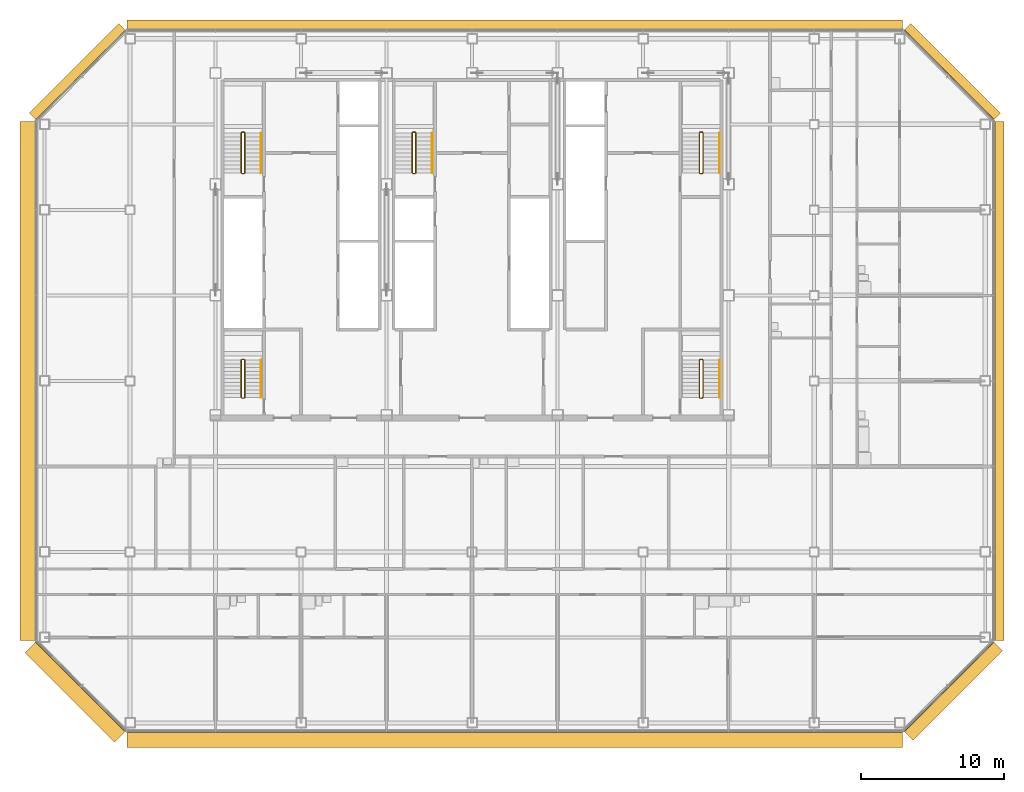
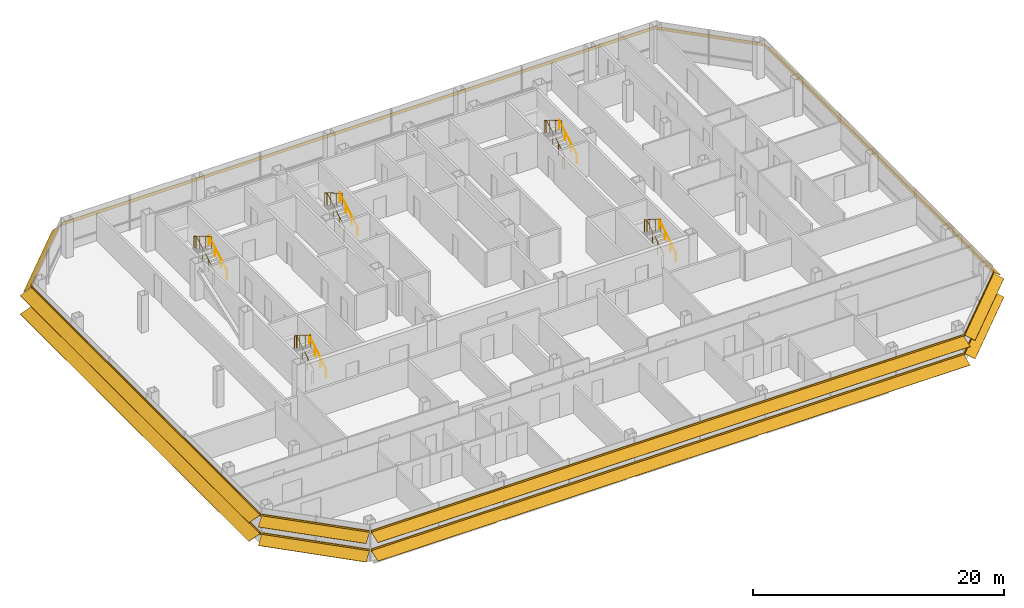
# One storey, part 25 of 26: 10 railings, 8 shading devices.
"""IFC4 building model written with IfcOpenShell, lengths in metres."""

from ifc_helpers import new_model, si_unit, direction, frame, origin, origin_2d, place, context, subcontext, project, spatial, polyline, circle, outline, composite_profile, extrude, material, type_object, element, save


model = new_model("IFC4")

# Units and contexts
model_context = context("Model", 3, precision=1e-05, world=origin(), true_north=direction((0.0, 1.0)))
body_context = subcontext(model_context, "Body", "Model", "MODEL_VIEW")
ifc_project = project(units=[si_unit("LENGTHUNIT", "METRE"), si_unit("AREAUNIT", "SQUARE_METRE"), si_unit("VOLUMEUNIT", "CUBIC_METRE"), si_unit("PLANEANGLEUNIT", "RADIAN"), si_unit("MASSUNIT", "GRAM", prefix="KILO")], contexts=[model_context])

# Site, building, storey
site_placement = place(None, origin())
site = spatial("IfcSite", under=ifc_project, at=site_placement, CompositionType="ELEMENT")
building_placement = place(site_placement, origin())
building = spatial("IfcBuilding", under=site, at=building_placement, Name="Sorahane Residences", CompositionType="ELEMENT")
storey_placement = place(building_placement, frame((0.0, 0.0, 158.199951171875)))
storey = spatial("IfcBuildingStorey", under=building, at=storey_placement, Name="L36", CompositionType="ELEMENT", Elevation=158.199951171875)

# Shading devices
ifc_material_1 = material(Name="Terracotta anodised aluminium", Category="masonry")
shading_device_type_1 = type_object("IfcShadingDeviceType", Name="Louvre sunshade blade E terracotta aluminium 700", PredefinedType="JALOUSIE", material=ifc_material_1)
shading_device_1_placement = place(storey_placement, frame((60.60009765625, 5.801513671875, 2.699951171875), z_axis=(0.0, 1.0, 0.0), x_axis=(-1.0, 0.0, 0.0)))
element("IfcShadingDevice", 1, at=shading_device_1_placement, inside=storey, type_object=shading_device_type_1, Name="Louvre sunshade blade bank E L36 E1", PredefinedType="JALOUSIE", context=body_context, shape_type="SweptSolid", body=[
    extrude(outline(polyline([(-0.719970703125, -0.49365234375), (-0.719970703125, -0.523681640625), (-0.080078125, -0.05859375), (-0.080078125, -0.14990234375), (-0.02001953125, -0.14990234375), (-0.02001953125, -0.014892578125), (-0.02001953125, 0.014892578125), (-0.02001953125, 0.14990234375), (-0.080078125, 0.14990234375), (-0.080078125, -0.028564453125), (-0.719970703125, -0.49365234375)])), origin(), (0.0, 0.0, 1.0), 36.39697265625),
])
ifc_material_2 = material(Name="Terracotta anodised aluminium", Category="masonry")
shading_device_type_2 = type_object("IfcShadingDeviceType", Name="Louvre sunshade blade N terracotta aluminium 700", PredefinedType="JALOUSIE", material=ifc_material_2)
shading_device_2_placement = place(storey_placement, frame((54.198486328125, 48.60009765625, 2.699951171875), z_axis=(-1.0, 0.0, 0.0), x_axis=(0.0, -1.0, 0.0)))
element("IfcShadingDevice", 2, at=shading_device_2_placement, inside=storey, type_object=shading_device_type_2, Name="Louvre sunshade blade bank N L36 N1", PredefinedType="JALOUSIE", context=body_context, shape_type="SweptSolid", body=[
    extrude(outline(polyline([(-0.719970703125, -0.660888671875), (-0.719970703125, -0.69091796875), (-0.080078125, -0.072998046875), (-0.080078125, -0.14990234375), (-0.02001953125, -0.14990234375), (-0.02001953125, -0.014892578125), (-0.02001953125, 0.014892578125), (-0.02001953125, 0.14990234375), (-0.080078125, 0.14990234375), (-0.080078125, -0.04296875), (-0.719970703125, -0.660888671875)])), origin(), (0.0, 0.0, 1.0), 54.39697265625),
])
ifc_material_3 = material(Name="Terracotta anodised aluminium", Category="masonry")
shading_device_type_3 = type_object("IfcShadingDeviceType", Name="Louvre sunshade blade NE terracotta aluminium 700", PredefinedType="JALOUSIE", material=ifc_material_3)
shading_device_3_placement = place(storey_placement, frame((60.564697265625, 42.283935546875, 2.699951171875), z_axis=(-0.707106781187, 0.707106781187, 0.0), x_axis=(-0.707106781187, -0.707106781187, 0.0)))
element("IfcShadingDevice", 3, at=shading_device_3_placement, inside=storey, type_object=shading_device_type_3, Name="Louvre sunshade blade bank NE L36 NE1", PredefinedType="JALOUSIE", context=body_context, shape_type="SweptSolid", body=[
    extrude(outline(polyline([(-0.719970703125, -0.572509765625), (-0.719970703125, -0.602294921875), (-0.080078125, -0.065185546875), (-0.080078125, -0.14990234375), (-0.02001953125, -0.14990234375), (-0.02001953125, -0.014892578125), (-0.02001953125, 0.014892578125), (-0.02001953125, 0.14990234375), (-0.080078125, 0.14990234375), (-0.080078125, -0.035400390625), (-0.719970703125, -0.572509765625)])), origin(), (0.0, 0.0, 1.0), 8.88232421875),
])
ifc_material_4 = material(Name="Terracotta anodised aluminium", Category="masonry")
shading_device_type_4 = type_object("IfcShadingDeviceType", Name="Louvre sunshade blade NW terracotta aluminium 700", PredefinedType="JALOUSIE", material=ifc_material_4)
shading_device_4_placement = place(storey_placement, frame((-0.283935546875, 48.564697265625, 2.699951171875), z_axis=(-0.707106781187, -0.707106781187, 0.0), x_axis=(0.707106781187, -0.707106781187, 0.0)))
element("IfcShadingDevice", 4, at=shading_device_4_placement, inside=storey, type_object=shading_device_type_4, Name="Louvre sunshade blade bank NW L36 NW1", PredefinedType="JALOUSIE", context=body_context, shape_type="SweptSolid", body=[
    extrude(outline(polyline([(-0.719970703125, -0.660888671875), (-0.719970703125, -0.69091796875), (-0.080078125, -0.072998046875), (-0.080078125, -0.14990234375), (-0.02001953125, -0.14990234375), (-0.02001953125, -0.014892578125), (-0.02001953125, 0.014892578125), (-0.02001953125, 0.14990234375), (-0.080078125, 0.14990234375), (-0.080078125, -0.04296875), (-0.719970703125, -0.660888671875)])), origin(), (0.0, 0.0, 1.0), 8.88232421875),
])
ifc_material_5 = material(Name="Terracotta anodised aluminium", Category="masonry")
shading_device_type_5 = type_object("IfcShadingDeviceType", Name="Louvre sunshade blade S terracotta aluminium 1100", PredefinedType="JALOUSIE", material=ifc_material_5)
shading_device_5_placement = place(storey_placement, frame((-0.198486328125, -0.60009765625, 0.900146484375), z_axis=(1.0, 0.0, 0.0), x_axis=(0.0, 1.0, 0.0)))
element("IfcShadingDevice", 5, at=shading_device_5_placement, inside=storey, type_object=shading_device_type_5, Name="Louvre sunshade blade bank S L36 S1", PredefinedType="JALOUSIE", context=body_context, shape_type="SweptSolid", body=[
    extrude(composite_profile([outline(polyline([(-1.1201171875, -0.385498046875), (-1.1201171875, -0.415283203125), (-0.080078125, -0.036865234375), (-0.080078125, -0.14990234375), (-0.02001953125, -0.14990234375), (-0.02001953125, -0.014892578125), (-0.02001953125, 0.014892578125), (-0.02001953125, 0.14990234375), (-0.080078125, 0.14990234375), (-0.080078125, -0.0068359375), (-1.1201171875, -0.385498046875)])), outline(polyline([(-1.1201171875, 1.41455078125), (-1.1201171875, 1.384521484375), (-0.080078125, 1.76318359375), (-0.080078125, 1.64990234375), (-0.02001953125, 1.64990234375), (-0.02001953125, 1.784912109375), (-0.02001953125, 1.81494140625), (-0.02001953125, 1.949951171875), (-0.080078125, 1.949951171875), (-0.080078125, 1.793212890625), (-1.1201171875, 1.41455078125)]))]), origin(), (0.0, 0.0, 1.0), 54.39697265625),
])
ifc_material_6 = material(Name="Terracotta anodised aluminium", Category="masonry")
shading_device_type_6 = type_object("IfcShadingDeviceType", Name="Louvre sunshade blade SE terracotta aluminium 900", PredefinedType="JALOUSIE", material=ifc_material_6)
shading_device_6_placement = place(storey_placement, frame((54.283935546875, -0.564697265625, 0.900146484375), z_axis=(0.707106781187, 0.707106781187, 0.0), x_axis=(-0.707106781187, 0.707106781187, 0.0)))
element("IfcShadingDevice", 6, at=shading_device_6_placement, inside=storey, type_object=shading_device_type_6, Name="Louvre sunshade blade bank SE L36 SE1", PredefinedType="JALOUSIE", context=body_context, shape_type="SweptSolid", body=[
    extrude(composite_profile([outline(polyline([(-0.919921875, -0.3486328125), (-0.919921875, -0.378662109375), (-0.080078125, -0.039306640625), (-0.080078125, -0.14990234375), (-0.02001953125, -0.14990234375), (-0.02001953125, -0.014892578125), (-0.02001953125, 0.014892578125), (-0.02001953125, 0.14990234375), (-0.080078125, 0.14990234375), (-0.080078125, -0.00927734375), (-0.919921875, -0.3486328125)])), outline(polyline([(-0.919921875, 1.451416015625), (-0.919921875, 1.42138671875), (-0.080078125, 1.7607421875), (-0.080078125, 1.64990234375), (-0.02001953125, 1.64990234375), (-0.02001953125, 1.784912109375), (-0.02001953125, 1.81494140625), (-0.02001953125, 1.949951171875), (-0.080078125, 1.949951171875), (-0.080078125, 1.790771484375), (-0.919921875, 1.451416015625)]))]), origin(), (0.0, 0.0, 1.0), 8.88232421875),
])
ifc_material_7 = material(Name="Terracotta anodised aluminium", Category="masonry")
shading_device_type_7 = type_object("IfcShadingDeviceType", Name="Louvre sunshade blade SW terracotta aluminium 1100", PredefinedType="JALOUSIE", material=ifc_material_7)
shading_device_7_placement = place(storey_placement, frame((-6.564697265625, 5.716064453125, 0.900146484375), z_axis=(0.707106781187, -0.707106781187, 0.0), x_axis=(0.707106781187, 0.707106781187, 0.0)))
element("IfcShadingDevice", 7, at=shading_device_7_placement, inside=storey, type_object=shading_device_type_7, Name="Louvre sunshade blade bank SW L36 SW1", PredefinedType="JALOUSIE", context=body_context, shape_type="SweptSolid", body=[
    extrude(composite_profile([outline(polyline([(-1.1201171875, -0.385498046875), (-1.1201171875, -0.415283203125), (-0.080078125, -0.036865234375), (-0.080078125, -0.14990234375), (-0.02001953125, -0.14990234375), (-0.02001953125, -0.014892578125), (-0.02001953125, 0.014892578125), (-0.02001953125, 0.14990234375), (-0.080078125, 0.14990234375), (-0.080078125, -0.0068359375), (-1.1201171875, -0.385498046875)])), outline(polyline([(-1.1201171875, 1.41455078125), (-1.1201171875, 1.384521484375), (-0.080078125, 1.76318359375), (-0.080078125, 1.64990234375), (-0.02001953125, 1.64990234375), (-0.02001953125, 1.784912109375), (-0.02001953125, 1.81494140625), (-0.02001953125, 1.949951171875), (-0.080078125, 1.949951171875), (-0.080078125, 1.793212890625), (-1.1201171875, 1.41455078125)]))]), origin(), (0.0, 0.0, 1.0), 8.88232421875),
])
ifc_material_8 = material(Name="Terracotta anodised aluminium", Category="masonry")
shading_device_type_8 = type_object("IfcShadingDeviceType", Name="Louvre sunshade blade W terracotta aluminium 1100", PredefinedType="JALOUSIE", material=ifc_material_8)
shading_device_8_placement = place(storey_placement, frame((-6.60009765625, 42.198486328125, 0.900146484375), z_axis=(0.0, -1.0, 0.0), x_axis=(1.0, 0.0, 0.0)))
element("IfcShadingDevice", 8, at=shading_device_8_placement, inside=storey, type_object=shading_device_type_8, Name="Louvre sunshade blade bank W L36 W1", PredefinedType="JALOUSIE", context=body_context, shape_type="SweptSolid", body=[
    extrude(composite_profile([outline(polyline([(-1.1201171875, -0.385498046875), (-1.1201171875, -0.415283203125), (-0.080078125, -0.036865234375), (-0.080078125, -0.14990234375), (-0.02001953125, -0.14990234375), (-0.02001953125, -0.014892578125), (-0.02001953125, 0.014892578125), (-0.02001953125, 0.14990234375), (-0.080078125, 0.14990234375), (-0.080078125, -0.0068359375), (-1.1201171875, -0.385498046875)])), outline(polyline([(-1.1201171875, 1.41455078125), (-1.1201171875, 1.384521484375), (-0.080078125, 1.76318359375), (-0.080078125, 1.64990234375), (-0.02001953125, 1.64990234375), (-0.02001953125, 1.784912109375), (-0.02001953125, 1.81494140625), (-0.02001953125, 1.949951171875), (-0.080078125, 1.949951171875), (-0.080078125, 1.793212890625), (-1.1201171875, 1.41455078125)]))]), origin(), (0.0, 0.0, 1.0), 36.39697265625),
])

# Railings
ifc_material_9 = material(Name="Steel Q355B", Category="steel")
railing_type_1 = type_object("IfcRailingType", Name="Stair guard 1200 Steel Q355B", PredefinedType="GUARDRAIL", material=ifc_material_9)
railing_1_placement = place(storey_placement, frame((7.85009765625, 38.550048828125, 0.0)))
element("IfcRailing", 9, at=railing_1_placement, inside=storey, type_object=railing_type_1, Name="L36 S1 stair guard 1", PredefinedType="GUARDRAIL", context=body_context, shape_type="SweptSolid", body=[
    extrude(circle(Radius=0.02392578125, at=origin_2d()), frame((0.0, 0.0, 1.17578125), z_axis=(1.0, 0.0, 0.0), x_axis=(0.0, 1.0, 0.0)), (0.0, 0.0, 1.0), 0.14990234375),
    extrude(circle(Radius=0.02392578125, at=origin_2d()), frame((0.14990234375, 0.0, 1.17578125), z_axis=(0.280808744504, 0.280808744504, 0.917765164963), x_axis=(-0.707106781187, 0.707106781187, 0.0)), (0.0, 0.0, 1.0), 0.17822265625),
    extrude(circle(Radius=0.02392578125, at=origin_2d()), frame((0.199951171875, 0.050048828125, 1.33935546875), z_axis=(0.0, 0.863341702679, 0.504619762213), x_axis=(-1.0, 0.0, 0.0)), (0.0, 0.0, 1.0), 3.242919921875),
    extrude(circle(Radius=0.02392578125, at=origin_2d()), frame((0.199951171875, 2.849853515625, 2.97607421875), z_axis=(-0.707106781187, 0.707106781187, 0.0), x_axis=(-0.707106781187, -0.707106781187, 0.0)), (0.0, 0.0, 1.0), 0.07080078125),
    extrude(circle(Radius=0.02392578125, at=origin_2d()), frame((0.14990234375, 2.89990234375, 2.97607421875), z_axis=(-1.0, 0.0, 0.0), x_axis=(0.0, -1.0, 0.0)), (0.0, 0.0, 1.0), 0.14990234375),
    extrude(circle(Radius=0.02392578125, at=origin_2d()), frame((0.0, 2.89990234375, 2.97607421875), z_axis=(-0.280808744504, -0.280808744504, 0.917765164963), x_axis=(0.707106781187, -0.707106781187, 0.0)), (0.0, 0.0, 1.0), 0.17822265625),
    extrude(circle(Radius=0.02392578125, at=origin_2d()), frame((-0.050048828125, 2.849853515625, 3.1396484375), z_axis=(0.0, -0.863341702679, 0.504619762213), x_axis=(1.0, 0.0, 0.0)), (0.0, 0.0, 1.0), 3.242919921875),
    extrude(circle(Radius=0.02099609375, at=origin_2d()), origin(), (0.0, 0.0, 1.0), 1.15185546875),
    extrude(circle(Radius=0.02099609375, at=origin_2d()), frame((0.14990234375, 0.0, 0.0)), (0.0, 0.0, 1.0), 1.15185546875),
    extrude(circle(Radius=0.02099609375, at=origin_2d()), frame((0.199951171875, 0.050048828125, 0.16357421875)), (0.0, 0.0, 1.0), 1.15185546875),
    extrude(circle(Radius=0.02099609375, at=origin_2d()), frame((0.199951171875, 0.9833984375, 0.708984375)), (0.0, 0.0, 1.0), 1.15185546875),
    extrude(circle(Radius=0.02099609375, at=origin_2d()), frame((0.199951171875, 1.91650390625, 1.254638671875)), (0.0, 0.0, 1.0), 1.15185546875),
    extrude(circle(Radius=0.02099609375, at=origin_2d()), frame((0.199951171875, 2.849853515625, 1.800048828125)), (0.0, 0.0, 1.0), 1.15185546875),
    extrude(circle(Radius=0.02099609375, at=origin_2d()), frame((0.14990234375, 2.89990234375, 1.800048828125)), (0.0, 0.0, 1.0), 1.15185546875),
    extrude(circle(Radius=0.02099609375, at=origin_2d()), frame((0.0, 2.89990234375, 1.800048828125)), (0.0, 0.0, 1.0), 1.15185546875),
    extrude(circle(Radius=0.02099609375, at=origin_2d()), frame((-0.050048828125, 2.849853515625, 1.963623046875)), (0.0, 0.0, 1.0), 1.15185546875),
    extrude(circle(Radius=0.02099609375, at=origin_2d()), frame((-0.050048828125, 1.91650390625, 2.509033203125)), (0.0, 0.0, 1.0), 1.15185546875),
    extrude(circle(Radius=0.02099609375, at=origin_2d()), frame((-0.050048828125, 0.9833984375, 3.0546875)), (0.0, 0.0, 1.0), 1.15185546875),
    extrude(circle(Radius=0.02099609375, at=origin_2d()), frame((-0.050048828125, 0.050048828125, 3.60009765625)), (0.0, 0.0, 1.0), 1.15185546875),
])
railing_2_placement = place(storey_placement, frame((40.0, 38.550048828125, 0.0)))
element("IfcRailing", 10, at=railing_2_placement, inside=storey, type_object=railing_type_1, Name="L36 S2 stair guard 1", PredefinedType="GUARDRAIL", context=body_context, shape_type="SweptSolid", body=[
    extrude(circle(Radius=0.02392578125, at=origin_2d()), frame((0.0, 0.0, 1.17578125), z_axis=(1.0, 0.0, 0.0), x_axis=(0.0, 1.0, 0.0)), (0.0, 0.0, 1.0), 0.14990234375),
    extrude(circle(Radius=0.02392578125, at=origin_2d()), frame((0.14990234375, 0.0, 1.17578125), z_axis=(0.280808744504, 0.280808744504, 0.917765164963), x_axis=(-0.707106781187, 0.707106781187, 0.0)), (0.0, 0.0, 1.0), 0.17822265625),
    extrude(circle(Radius=0.02392578125, at=origin_2d()), frame((0.199951171875, 0.050048828125, 1.33935546875), z_axis=(0.0, 0.863341702679, 0.504619762213), x_axis=(-1.0, 0.0, 0.0)), (0.0, 0.0, 1.0), 3.242919921875),
    extrude(circle(Radius=0.02392578125, at=origin_2d()), frame((0.199951171875, 2.849853515625, 2.97607421875), z_axis=(-0.707106781187, 0.707106781187, 0.0), x_axis=(-0.707106781187, -0.707106781187, 0.0)), (0.0, 0.0, 1.0), 0.07080078125),
    extrude(circle(Radius=0.02392578125, at=origin_2d()), frame((0.14990234375, 2.89990234375, 2.97607421875), z_axis=(-1.0, 0.0, 0.0), x_axis=(0.0, -1.0, 0.0)), (0.0, 0.0, 1.0), 0.14990234375),
    extrude(circle(Radius=0.02392578125, at=origin_2d()), frame((0.0, 2.89990234375, 2.97607421875), z_axis=(-0.280808744504, -0.280808744504, 0.917765164963), x_axis=(0.707106781187, -0.707106781187, 0.0)), (0.0, 0.0, 1.0), 0.17822265625),
    extrude(circle(Radius=0.02392578125, at=origin_2d()), frame((-0.050048828125, 2.849853515625, 3.1396484375), z_axis=(0.0, -0.863341702679, 0.504619762213), x_axis=(1.0, 0.0, 0.0)), (0.0, 0.0, 1.0), 3.242919921875),
    extrude(circle(Radius=0.02099609375, at=origin_2d()), origin(), (0.0, 0.0, 1.0), 1.15185546875),
    extrude(circle(Radius=0.02099609375, at=origin_2d()), frame((0.14990234375, 0.0, 0.0)), (0.0, 0.0, 1.0), 1.15185546875),
    extrude(circle(Radius=0.02099609375, at=origin_2d()), frame((0.199951171875, 0.050048828125, 0.16357421875)), (0.0, 0.0, 1.0), 1.15185546875),
    extrude(circle(Radius=0.02099609375, at=origin_2d()), frame((0.199951171875, 0.9833984375, 0.708984375)), (0.0, 0.0, 1.0), 1.15185546875),
    extrude(circle(Radius=0.02099609375, at=origin_2d()), frame((0.199951171875, 1.91650390625, 1.254638671875)), (0.0, 0.0, 1.0), 1.15185546875),
    extrude(circle(Radius=0.02099609375, at=origin_2d()), frame((0.199951171875, 2.849853515625, 1.800048828125)), (0.0, 0.0, 1.0), 1.15185546875),
    extrude(circle(Radius=0.02099609375, at=origin_2d()), frame((0.14990234375, 2.89990234375, 1.800048828125)), (0.0, 0.0, 1.0), 1.15185546875),
    extrude(circle(Radius=0.02099609375, at=origin_2d()), frame((0.0, 2.89990234375, 1.800048828125)), (0.0, 0.0, 1.0), 1.15185546875),
    extrude(circle(Radius=0.02099609375, at=origin_2d()), frame((-0.050048828125, 2.849853515625, 1.963623046875)), (0.0, 0.0, 1.0), 1.15185546875),
    extrude(circle(Radius=0.02099609375, at=origin_2d()), frame((-0.050048828125, 1.91650390625, 2.509033203125)), (0.0, 0.0, 1.0), 1.15185546875),
    extrude(circle(Radius=0.02099609375, at=origin_2d()), frame((-0.050048828125, 0.9833984375, 3.0546875)), (0.0, 0.0, 1.0), 1.15185546875),
    extrude(circle(Radius=0.02099609375, at=origin_2d()), frame((-0.050048828125, 0.050048828125, 3.60009765625)), (0.0, 0.0, 1.0), 1.15185546875),
])
railing_3_placement = place(storey_placement, frame((19.85009765625, 38.550048828125, 0.0)))
element("IfcRailing", 11, at=railing_3_placement, inside=storey, type_object=railing_type_1, Name="L36 S3 stair guard 1", PredefinedType="GUARDRAIL", context=body_context, shape_type="SweptSolid", body=[
    extrude(circle(Radius=0.02392578125, at=origin_2d()), frame((0.0, 0.0, 1.17578125), z_axis=(1.0, 0.0, 0.0), x_axis=(0.0, 1.0, 0.0)), (0.0, 0.0, 1.0), 0.14990234375),
    extrude(circle(Radius=0.02392578125, at=origin_2d()), frame((0.14990234375, 0.0, 1.17578125), z_axis=(0.280808744504, 0.280808744504, 0.917765164963), x_axis=(-0.707106781187, 0.707106781187, 0.0)), (0.0, 0.0, 1.0), 0.17822265625),
    extrude(circle(Radius=0.02392578125, at=origin_2d()), frame((0.199951171875, 0.050048828125, 1.33935546875), z_axis=(0.0, 0.863341702679, 0.504619762213), x_axis=(-1.0, 0.0, 0.0)), (0.0, 0.0, 1.0), 3.242919921875),
    extrude(circle(Radius=0.02392578125, at=origin_2d()), frame((0.199951171875, 2.849853515625, 2.97607421875), z_axis=(-0.707106781187, 0.707106781187, 0.0), x_axis=(-0.707106781187, -0.707106781187, 0.0)), (0.0, 0.0, 1.0), 0.07080078125),
    extrude(circle(Radius=0.02392578125, at=origin_2d()), frame((0.14990234375, 2.89990234375, 2.97607421875), z_axis=(-1.0, 0.0, 0.0), x_axis=(0.0, -1.0, 0.0)), (0.0, 0.0, 1.0), 0.14990234375),
    extrude(circle(Radius=0.02392578125, at=origin_2d()), frame((0.0, 2.89990234375, 2.97607421875), z_axis=(-0.280808744504, -0.280808744504, 0.917765164963), x_axis=(0.707106781187, -0.707106781187, 0.0)), (0.0, 0.0, 1.0), 0.17822265625),
    extrude(circle(Radius=0.02392578125, at=origin_2d()), frame((-0.050048828125, 2.849853515625, 3.1396484375), z_axis=(0.0, -0.863341702679, 0.504619762213), x_axis=(1.0, 0.0, 0.0)), (0.0, 0.0, 1.0), 3.242919921875),
    extrude(circle(Radius=0.02099609375, at=origin_2d()), origin(), (0.0, 0.0, 1.0), 1.15185546875),
    extrude(circle(Radius=0.02099609375, at=origin_2d()), frame((0.14990234375, 0.0, 0.0)), (0.0, 0.0, 1.0), 1.15185546875),
    extrude(circle(Radius=0.02099609375, at=origin_2d()), frame((0.199951171875, 0.050048828125, 0.16357421875)), (0.0, 0.0, 1.0), 1.15185546875),
    extrude(circle(Radius=0.02099609375, at=origin_2d()), frame((0.199951171875, 0.9833984375, 0.708984375)), (0.0, 0.0, 1.0), 1.15185546875),
    extrude(circle(Radius=0.02099609375, at=origin_2d()), frame((0.199951171875, 1.91650390625, 1.254638671875)), (0.0, 0.0, 1.0), 1.15185546875),
    extrude(circle(Radius=0.02099609375, at=origin_2d()), frame((0.199951171875, 2.849853515625, 1.800048828125)), (0.0, 0.0, 1.0), 1.15185546875),
    extrude(circle(Radius=0.02099609375, at=origin_2d()), frame((0.14990234375, 2.89990234375, 1.800048828125)), (0.0, 0.0, 1.0), 1.15185546875),
    extrude(circle(Radius=0.02099609375, at=origin_2d()), frame((0.0, 2.89990234375, 1.800048828125)), (0.0, 0.0, 1.0), 1.15185546875),
    extrude(circle(Radius=0.02099609375, at=origin_2d()), frame((-0.050048828125, 2.849853515625, 1.963623046875)), (0.0, 0.0, 1.0), 1.15185546875),
    extrude(circle(Radius=0.02099609375, at=origin_2d()), frame((-0.050048828125, 1.91650390625, 2.509033203125)), (0.0, 0.0, 1.0), 1.15185546875),
    extrude(circle(Radius=0.02099609375, at=origin_2d()), frame((-0.050048828125, 0.9833984375, 3.0546875)), (0.0, 0.0, 1.0), 1.15185546875),
    extrude(circle(Radius=0.02099609375, at=origin_2d()), frame((-0.050048828125, 0.050048828125, 3.60009765625)), (0.0, 0.0, 1.0), 1.15185546875),
])
railing_4_placement = place(storey_placement, frame((7.85009765625, 22.800048828125, 0.0)))
element("IfcRailing", 12, at=railing_4_placement, inside=storey, type_object=railing_type_1, Name="L36 S4 stair guard 1", PredefinedType="GUARDRAIL", context=body_context, shape_type="SweptSolid", body=[
    extrude(circle(Radius=0.02392578125, at=origin_2d()), frame((0.0, 0.0, 1.17578125), z_axis=(1.0, 0.0, 0.0), x_axis=(0.0, 1.0, 0.0)), (0.0, 0.0, 1.0), 0.14990234375),
    extrude(circle(Radius=0.02392578125, at=origin_2d()), frame((0.14990234375, 0.0, 1.17578125), z_axis=(0.280808744504, 0.280808744504, 0.917765164963), x_axis=(-0.707106781187, 0.707106781187, 0.0)), (0.0, 0.0, 1.0), 0.17822265625),
    extrude(circle(Radius=0.02392578125, at=origin_2d()), frame((0.199951171875, 0.050048828125, 1.33935546875), z_axis=(0.0, 0.846301844409, 0.532703658848), x_axis=(-1.0, 0.0, 0.0)), (0.0, 0.0, 1.0), 3.072021484375),
    extrude(circle(Radius=0.02392578125, at=origin_2d()), frame((0.199951171875, 2.64990234375, 2.97607421875), z_axis=(-0.707106781187, 0.707106781187, 0.0), x_axis=(-0.707106781187, -0.707106781187, 0.0)), (0.0, 0.0, 1.0), 0.07080078125),
    extrude(circle(Radius=0.02392578125, at=origin_2d()), frame((0.14990234375, 2.699951171875, 2.97607421875), z_axis=(-1.0, 0.0, 0.0), x_axis=(0.0, -1.0, 0.0)), (0.0, 0.0, 1.0), 0.14990234375),
    extrude(circle(Radius=0.02392578125, at=origin_2d()), frame((0.0, 2.699951171875, 2.97607421875), z_axis=(-0.280808744504, -0.280808744504, 0.917765164963), x_axis=(0.707106781187, -0.707106781187, 0.0)), (0.0, 0.0, 1.0), 0.17822265625),
    extrude(circle(Radius=0.02392578125, at=origin_2d()), frame((-0.050048828125, 2.64990234375, 3.1396484375), z_axis=(0.0, -0.846301844409, 0.532703658848), x_axis=(1.0, 0.0, 0.0)), (0.0, 0.0, 1.0), 3.072021484375),
    extrude(circle(Radius=0.02099609375, at=origin_2d()), origin(), (0.0, 0.0, 1.0), 1.15185546875),
    extrude(circle(Radius=0.02099609375, at=origin_2d()), frame((0.14990234375, 0.0, 0.0)), (0.0, 0.0, 1.0), 1.15185546875),
    extrude(circle(Radius=0.02099609375, at=origin_2d()), frame((0.199951171875, 0.050048828125, 0.16357421875)), (0.0, 0.0, 1.0), 1.15185546875),
    extrude(circle(Radius=0.02099609375, at=origin_2d()), frame((0.199951171875, 0.916748046875, 0.708984375)), (0.0, 0.0, 1.0), 1.15185546875),
    extrude(circle(Radius=0.02099609375, at=origin_2d()), frame((0.199951171875, 1.783203125, 1.254638671875)), (0.0, 0.0, 1.0), 1.15185546875),
    extrude(circle(Radius=0.02099609375, at=origin_2d()), frame((0.199951171875, 2.64990234375, 1.800048828125)), (0.0, 0.0, 1.0), 1.15185546875),
    extrude(circle(Radius=0.02099609375, at=origin_2d()), frame((0.14990234375, 2.699951171875, 1.800048828125)), (0.0, 0.0, 1.0), 1.15185546875),
    extrude(circle(Radius=0.02099609375, at=origin_2d()), frame((0.0, 2.699951171875, 1.800048828125)), (0.0, 0.0, 1.0), 1.15185546875),
    extrude(circle(Radius=0.02099609375, at=origin_2d()), frame((-0.050048828125, 2.64990234375, 1.963623046875)), (0.0, 0.0, 1.0), 1.15185546875),
    extrude(circle(Radius=0.02099609375, at=origin_2d()), frame((-0.050048828125, 1.783203125, 2.509033203125)), (0.0, 0.0, 1.0), 1.15185546875),
    extrude(circle(Radius=0.02099609375, at=origin_2d()), frame((-0.050048828125, 0.916748046875, 3.0546875)), (0.0, 0.0, 1.0), 1.15185546875),
    extrude(circle(Radius=0.02099609375, at=origin_2d()), frame((-0.050048828125, 0.050048828125, 3.60009765625)), (0.0, 0.0, 1.0), 1.15185546875),
])
railing_5_placement = place(storey_placement, frame((40.0, 22.800048828125, 0.0)))
element("IfcRailing", 13, at=railing_5_placement, inside=storey, type_object=railing_type_1, Name="L36 S5 stair guard 1", PredefinedType="GUARDRAIL", context=body_context, shape_type="SweptSolid", body=[
    extrude(circle(Radius=0.02392578125, at=origin_2d()), frame((0.0, 0.0, 1.17578125), z_axis=(1.0, 0.0, 0.0), x_axis=(0.0, 1.0, 0.0)), (0.0, 0.0, 1.0), 0.14990234375),
    extrude(circle(Radius=0.02392578125, at=origin_2d()), frame((0.14990234375, 0.0, 1.17578125), z_axis=(0.280808744504, 0.280808744504, 0.917765164963), x_axis=(-0.707106781187, 0.707106781187, 0.0)), (0.0, 0.0, 1.0), 0.17822265625),
    extrude(circle(Radius=0.02392578125, at=origin_2d()), frame((0.199951171875, 0.050048828125, 1.33935546875), z_axis=(0.0, 0.846301844409, 0.532703658848), x_axis=(-1.0, 0.0, 0.0)), (0.0, 0.0, 1.0), 3.072021484375),
    extrude(circle(Radius=0.02392578125, at=origin_2d()), frame((0.199951171875, 2.64990234375, 2.97607421875), z_axis=(-0.707106781187, 0.707106781187, 0.0), x_axis=(-0.707106781187, -0.707106781187, 0.0)), (0.0, 0.0, 1.0), 0.07080078125),
    extrude(circle(Radius=0.02392578125, at=origin_2d()), frame((0.14990234375, 2.699951171875, 2.97607421875), z_axis=(-1.0, 0.0, 0.0), x_axis=(0.0, -1.0, 0.0)), (0.0, 0.0, 1.0), 0.14990234375),
    extrude(circle(Radius=0.02392578125, at=origin_2d()), frame((0.0, 2.699951171875, 2.97607421875), z_axis=(-0.280808744504, -0.280808744504, 0.917765164963), x_axis=(0.707106781187, -0.707106781187, 0.0)), (0.0, 0.0, 1.0), 0.17822265625),
    extrude(circle(Radius=0.02392578125, at=origin_2d()), frame((-0.050048828125, 2.64990234375, 3.1396484375), z_axis=(0.0, -0.846301844409, 0.532703658848), x_axis=(1.0, 0.0, 0.0)), (0.0, 0.0, 1.0), 3.072021484375),
    extrude(circle(Radius=0.02099609375, at=origin_2d()), origin(), (0.0, 0.0, 1.0), 1.15185546875),
    extrude(circle(Radius=0.02099609375, at=origin_2d()), frame((0.14990234375, 0.0, 0.0)), (0.0, 0.0, 1.0), 1.15185546875),
    extrude(circle(Radius=0.02099609375, at=origin_2d()), frame((0.199951171875, 0.050048828125, 0.16357421875)), (0.0, 0.0, 1.0), 1.15185546875),
    extrude(circle(Radius=0.02099609375, at=origin_2d()), frame((0.199951171875, 0.916748046875, 0.708984375)), (0.0, 0.0, 1.0), 1.15185546875),
    extrude(circle(Radius=0.02099609375, at=origin_2d()), frame((0.199951171875, 1.783203125, 1.254638671875)), (0.0, 0.0, 1.0), 1.15185546875),
    extrude(circle(Radius=0.02099609375, at=origin_2d()), frame((0.199951171875, 2.64990234375, 1.800048828125)), (0.0, 0.0, 1.0), 1.15185546875),
    extrude(circle(Radius=0.02099609375, at=origin_2d()), frame((0.14990234375, 2.699951171875, 1.800048828125)), (0.0, 0.0, 1.0), 1.15185546875),
    extrude(circle(Radius=0.02099609375, at=origin_2d()), frame((0.0, 2.699951171875, 1.800048828125)), (0.0, 0.0, 1.0), 1.15185546875),
    extrude(circle(Radius=0.02099609375, at=origin_2d()), frame((-0.050048828125, 2.64990234375, 1.963623046875)), (0.0, 0.0, 1.0), 1.15185546875),
    extrude(circle(Radius=0.02099609375, at=origin_2d()), frame((-0.050048828125, 1.783203125, 2.509033203125)), (0.0, 0.0, 1.0), 1.15185546875),
    extrude(circle(Radius=0.02099609375, at=origin_2d()), frame((-0.050048828125, 0.916748046875, 3.0546875)), (0.0, 0.0, 1.0), 1.15185546875),
    extrude(circle(Radius=0.02099609375, at=origin_2d()), frame((-0.050048828125, 0.050048828125, 3.60009765625)), (0.0, 0.0, 1.0), 1.15185546875),
])
ifc_material_10 = material(Name="Steel Q355B", Category="steel")
railing_type_2 = type_object("IfcRailingType", Name="Stair handrail 900 Steel Q355B", PredefinedType="HANDRAIL", material=ifc_material_10)
for number, where, name in (
    (14, (9.199951171875, 38.60009765625, 0.16357421875), "L36 S1 stair handrail 1"),
    (15, (41.35009765625, 38.60009765625, 0.16357421875), "L36 S2 stair handrail 1"),
    (16, (21.199951171875, 38.60009765625, 0.16357421875), "L36 S3 stair handrail 1"),
):
    element("IfcRailing", number, at=place(storey_placement, frame(where)), inside=storey, type_object=railing_type_2, Name=name, PredefinedType="HANDRAIL", context=body_context, shape_type="SweptSolid", body=[
        extrude(circle(Radius=0.02392578125, at=origin_2d()), frame((0.0, 0.0, 0.8759765625), z_axis=(0.0, 0.863341702679, 0.504619762213), x_axis=(-1.0, 0.0, 0.0)), (0.0, 0.0, 1.0), 3.242919921875),
        extrude(circle(Radius=0.02099609375, at=origin_2d()), origin(), (0.0, 0.0, 1.0), 0.851806640625),
        extrude(circle(Radius=0.02099609375, at=origin_2d()), frame((0.0, 0.933349609375, 0.54541015625)), (0.0, 0.0, 1.0), 0.851806640625),
        extrude(circle(Radius=0.02099609375, at=origin_2d()), frame((0.0, 1.866455078125, 1.091064453125)), (0.0, 0.0, 1.0), 0.851806640625),
        extrude(circle(Radius=0.02099609375, at=origin_2d()), frame((0.0, 2.7998046875, 1.636474609375)), (0.0, 0.0, 1.0), 0.851806640625),
    ])
for number, where, name in (
    (17, (9.199951171875, 22.85009765625, 0.16357421875), "L36 S4 stair handrail 1"),
    (18, (41.35009765625, 22.85009765625, 0.16357421875), "L36 S5 stair handrail 1"),
):
    element("IfcRailing", number, at=place(storey_placement, frame(where)), inside=storey, type_object=railing_type_2, Name=name, PredefinedType="HANDRAIL", context=body_context, shape_type="SweptSolid", body=[
        extrude(circle(Radius=0.02392578125, at=origin_2d()), frame((0.0, 0.0, 0.8759765625), z_axis=(0.0, 0.846301844409, 0.532703658848), x_axis=(-1.0, 0.0, 0.0)), (0.0, 0.0, 1.0), 3.072021484375),
        extrude(circle(Radius=0.02099609375, at=origin_2d()), origin(), (0.0, 0.0, 1.0), 0.851806640625),
        extrude(circle(Radius=0.02099609375, at=origin_2d()), frame((0.0, 0.86669921875, 0.54541015625)), (0.0, 0.0, 1.0), 0.851806640625),
        extrude(circle(Radius=0.02099609375, at=origin_2d()), frame((0.0, 1.733154296875, 1.091064453125)), (0.0, 0.0, 1.0), 0.851806640625),
        extrude(circle(Radius=0.02099609375, at=origin_2d()), frame((0.0, 2.599853515625, 1.636474609375)), (0.0, 0.0, 1.0), 0.851806640625),
    ])

save(model, "model.ifc")
